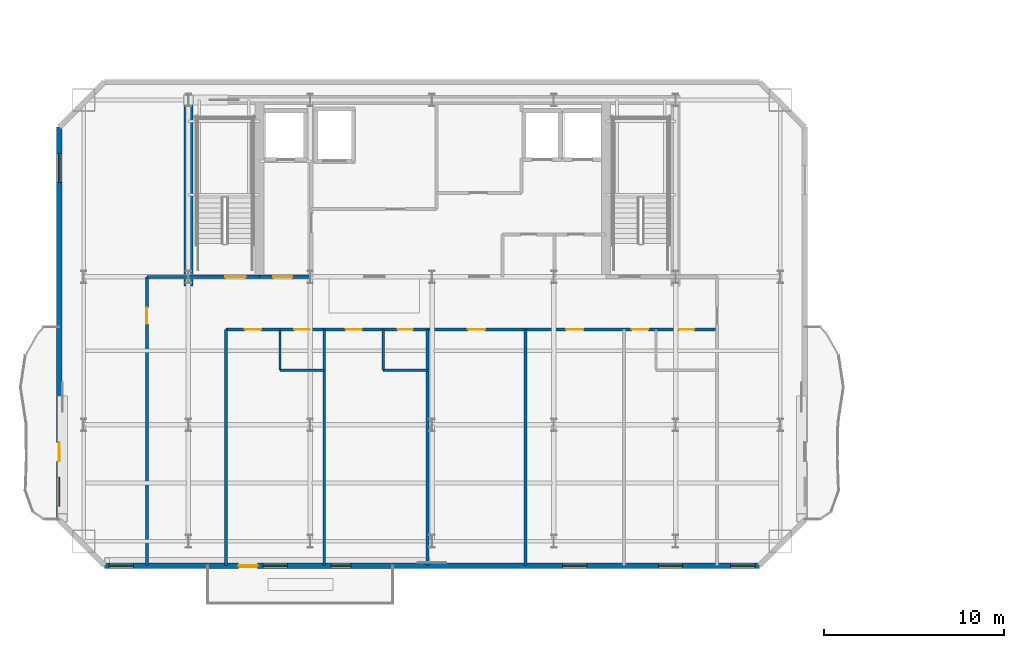
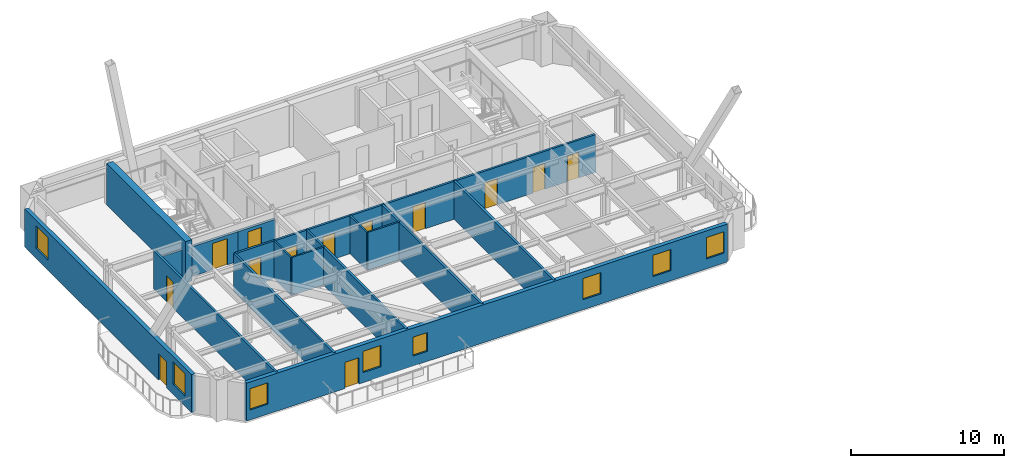
# One storey, part 5 of 13: 16 walls, 13 doors, 8 windows, 21 openings.
"""IFC4 building model written with IfcOpenShell, lengths in metres."""

from ifc_helpers import new_model, si_unit, direction, frame, frame_2d, origin, place, context, subcontext, project, spatial, rectangle, extrude, material, layer, layer_set, type_object, element, fill, save


model = new_model("IFC4")

# Units and contexts
model_context = context("Model", 3, precision=1e-05, world=origin(), true_north=direction((0.0, 1.0)))
body_context = subcontext(model_context, "Body", "Model", "MODEL_VIEW")
ifc_project = project(units=[si_unit("LENGTHUNIT", "METRE"), si_unit("AREAUNIT", "SQUARE_METRE"), si_unit("VOLUMEUNIT", "CUBIC_METRE"), si_unit("PLANEANGLEUNIT", "RADIAN"), si_unit("MASSUNIT", "GRAM", prefix="KILO")], contexts=[model_context])

# Site, building, storey
site_placement = place(None, origin())
site = spatial("IfcSite", under=ifc_project, at=site_placement, CompositionType="ELEMENT")
building_placement = place(site_placement, origin())
building = spatial("IfcBuilding", under=site, at=building_placement, Name="Haevon Station Towers", CompositionType="ELEMENT")
storey_placement = place(building_placement, frame((0.0, 0.0, 185.699951171875)))
storey = spatial("IfcBuildingStorey", under=building, at=storey_placement, Name="L51", CompositionType="ELEMENT", Elevation=185.699951171875)

# Wall
ifc_material_1 = material(Name="Gypsum board on steel stud", Category="steel")
ifc_layer_1 = layer(ifc_material_1, 0.179931640625)
ifc_layer_set_1 = layer_set([ifc_layer_1], Name="Gypsum board on steel stud")
wall_type_1 = type_object("IfcWallType", Name="WL-ACU180", PredefinedType="PARTITIONING", material=ifc_layer_set_1)
wall_1_placement = place(storey_placement, frame((42.68408203125, 22.199951171875, 0.0), z_axis=(0.0, 0.0, 1.0), x_axis=(0.0, 1.0, 0.0)))
element("IfcWall", 1, at=wall_1_placement, inside=storey, type_object=wall_type_1, Name="WL-T1PT-L51-12", PredefinedType="PARTITIONING", context=body_context, shape_type="SweptSolid", body=[
    extrude(rectangle(XDim=13.080078125, YDim=0.179931640625, at=frame_2d((6.5400390625, 0.0))), origin(), (0.0, 0.0, 1.0), 3.030029296875),
])

# Wall, opening, door
ifc_layer_2 = layer(ifc_material_1, 0.199951171875)
ifc_layer_set_2 = layer_set([ifc_layer_2], Name="Gypsum board on steel stud")
wall_type_2 = type_object("IfcWallType", Name="WL-COR200", PredefinedType="PARTITIONING", material=ifc_layer_set_2)
wall_2_placement = place(storey_placement, frame((24.0, 38.199951171875, 0.0), z_axis=(0.0, 0.0, 1.0), x_axis=(1.0, 0.0, 0.0)))
wall_2 = element("IfcWall", 2, at=wall_2_placement, inside=storey, type_object=wall_type_2, Name="WL-ST-ST1-L51", PredefinedType="PARTITIONING", context=body_context, shape_type="SweptSolid", body=[
    extrude(rectangle(XDim=3.949951171875, YDim=0.199951171875, at=frame_2d((1.97509765625, 0.0))), origin(), (0.0, 0.0, 1.0), 2.380126953125),
])
opening_1_placement = place(wall_2_placement, frame((2.050048828125, 0.0, 0.0)))
opening_1 = element("IfcOpeningElement", 3, at=opening_1_placement, cuts=wall_2, Name="Opening DR-ST-ST1-L51", PredefinedType="OPENING", context=body_context, shape_type="SweptSolid", body=[
    extrude(rectangle(XDim=1.1201171875, YDim=2.10009765625, at=frame_2d((0.56005859375, 1.050048828125))), frame((0.0, 0.10986328125, 0.0), z_axis=(0.0, -1.0, 0.0), x_axis=(1.0, 0.0, 0.0)), (0.0, 0.0, 1.0), 0.219970703125),
])
ifc_material_2 = material(Name="Engineered oak timber", Category="wood")
door_type_1 = type_object("IfcDoorType", Name="DR-ST-1120", OperationType="NOTDEFINED", PredefinedType="DOOR", material=ifc_material_2)
door_1_placement = place(opening_1_placement, origin())
door_1 = element("IfcDoor", 4, at=door_1_placement, inside=storey, type_object=door_type_1, Name="L51 Escape Stair ST1 Fire Door", OperationType="SINGLE_SWING_LEFT", OverallHeight=2.10009765625, OverallWidth=1.1201171875, PredefinedType="DOOR", context=body_context, shape_type="SweptSolid", body=[
    extrude(rectangle(XDim=1.1201171875, YDim=2.10009765625, at=frame_2d((0.56005859375, 1.050048828125))), frame((0.0, 0.02490234375, 0.0), z_axis=(0.0, -1.0, 0.0), x_axis=(1.0, 0.0, 0.0)), (0.0, 0.0, 1.0), 0.050048828125),
])
fill(opening_1, door_1)

wall_3_placement = place(storey_placement, frame((27.949951171875, 38.199951171875, 0.0), z_axis=(0.0, 0.0, 1.0), x_axis=(1.0, 0.0, 0.0)))
wall_3 = element("IfcWall", 5, at=wall_3_placement, inside=storey, type_object=wall_type_2, Name="WL-T1FFL-L51-S", PredefinedType="PARTITIONING", context=body_context, shape_type="SweptSolid", body=[
    extrude(rectangle(XDim=2.85009765625, YDim=0.199951171875, at=frame_2d((1.425048828125, 0.0))), origin(), (0.0, 0.0, 1.0), 2.380126953125),
])
opening_2_placement = place(wall_3_placement, frame((0.75, 0.0, 0.0)))
opening_2 = element("IfcOpeningElement", 6, at=opening_2_placement, cuts=wall_3, Name="Opening DR-T1FFL-L51-S", PredefinedType="OPENING", context=body_context, shape_type="SweptSolid", body=[
    extrude(rectangle(XDim=1.050048828125, YDim=2.10009765625, at=frame_2d((0.52490234375, 1.050048828125))), frame((0.0, 0.10986328125, 0.0), z_axis=(0.0, -1.0, 0.0), x_axis=(1.0, 0.0, 0.0)), (0.0, 0.0, 1.0), 0.219970703125),
])
door_type_2 = type_object("IfcDoorType", Name="DR-FD60-1050", OperationType="NOTDEFINED", PredefinedType="DOOR", material=ifc_material_2)
door_2_placement = place(opening_2_placement, origin())
door_2 = element("IfcDoor", 7, at=door_2_placement, inside=storey, type_object=door_type_2, Name="L51 Tower 1 Firefighting Lift Lobby Door S", OperationType="SINGLE_SWING_RIGHT", OverallHeight=2.10009765625, OverallWidth=1.050048828125, PredefinedType="DOOR", context=body_context, shape_type="SweptSolid", body=[
    extrude(rectangle(XDim=1.050048828125, YDim=2.10009765625, at=frame_2d((0.52490234375, 1.050048828125))), frame((0.0, 0.02490234375, 0.0), z_axis=(0.0, -1.0, 0.0), x_axis=(1.0, 0.0, 0.0)), (0.0, 0.0, 1.0), 0.050048828125),
])
fill(opening_2, door_2)

# Wall
ifc_material_3 = material(Name="Concrete C60/75", Category="concrete")
ifc_layer_3 = layer(ifc_material_3, 0.5)
ifc_layer_set_3 = layer_set([ifc_layer_3], Name="Concrete C60/75")
wall_type_3 = type_object("IfcWallType", Name="WL-CR500", PredefinedType="SHEAR", material=ifc_layer_set_3)
wall_4_placement = place(storey_placement, frame((24.0, 37.679931640625, 0.0), z_axis=(0.0, 0.0, 1.0), x_axis=(0.0, 1.0, 0.0)))
element("IfcWall", 8, at=wall_4_placement, inside=storey, type_object=wall_type_3, Name="WL-T1CR-L51-W", PredefinedType="SHEAR", context=body_context, shape_type="SweptSolid", body=[
    extrude(rectangle(XDim=10.320068359375, YDim=0.5, at=frame_2d((5.16015625, 0.0))), origin(), (0.0, 0.0, 1.0), 3.300048828125),
])

# Wall, openings, door, windows
ifc_material_4 = material(Name="Precast concrete C45/55", Category="concrete")
ifc_layer_4 = layer(ifc_material_4, 0.300048828125)
ifc_layer_set_4 = layer_set([ifc_layer_4], Name="Precast concrete C45/55")
wall_type_4 = type_object("IfcWallType", Name="WL-EXT-PIER300", PredefinedType="SOLIDWALL", material=ifc_layer_set_4)
wall_5_placement = place(storey_placement, frame((55.64990234375, 22.199951171875, 0.0), z_axis=(0.0, 0.0, 1.0), x_axis=(-1.0, 0.0, 0.0)))
wall_5 = element("IfcWall", 9, at=wall_5_placement, inside=storey, type_object=wall_type_4, Name="WL-T1-L51-S", PredefinedType="SOLIDWALL", context=body_context, shape_type="SweptSolid", body=[
    extrude(rectangle(XDim=36.2998046875, YDim=0.300048828125, at=frame_2d((18.14990234375, 0.0))), origin(), (0.0, 0.0, 1.0), 3.030029296875),
])
opening_3_placement = place(wall_5_placement, frame((27.82080078125, 0.0, 0.0)))
opening_3 = element("IfcOpeningElement", 10, at=opening_3_placement, cuts=wall_5, Name="Opening DR-T1-PBAND-L51-1", PredefinedType="OPENING", context=body_context, shape_type="SweptSolid", body=[
    extrude(rectangle(XDim=1.050048828125, YDim=2.10009765625, at=frame_2d((0.52490234375, 1.050048828125))), frame((0.0, 0.159912109375, 0.0), z_axis=(0.0, -1.0, 0.0), x_axis=(1.0, 0.0, 0.0)), (0.0, 0.0, 1.0), 0.320068359375),
])
opening_4_placement = place(wall_5_placement, frame((34.699951171875, 0.0, 0.800048828125)))
opening_4 = element("IfcOpeningElement", 11, at=opening_4_placement, cuts=wall_5, Name="Opening WN-P135", PredefinedType="OPENING", context=body_context, shape_type="SweptSolid", body=[
    extrude(rectangle(XDim=1.35009765625, YDim=1.699951171875, at=frame_2d((0.675048828125, 0.85009765625))), frame((0.0, 0.159912109375, 0.0), z_axis=(0.0, -1.0, 0.0), x_axis=(1.0, 0.0, 0.0)), (0.0, 0.0, 1.0), 0.320068359375),
])
opening_5_placement = place(wall_5_placement, frame((0.25, 0.0, 0.800048828125)))
opening_5 = element("IfcOpeningElement", 12, at=opening_5_placement, cuts=wall_5, Name="Opening WN-P135", PredefinedType="OPENING", context=body_context, shape_type="SweptSolid", body=[
    extrude(rectangle(XDim=1.35009765625, YDim=1.699951171875, at=frame_2d((0.675048828125, 0.85009765625))), frame((0.0, 0.159912109375, 0.0), z_axis=(0.0, -1.0, 0.0), x_axis=(1.0, 0.0, 0.0)), (0.0, 0.0, 1.0), 0.320068359375),
])
opening_6_placement = place(wall_5_placement, frame((26.173095703125, 0.0, 0.800048828125)))
opening_6 = element("IfcOpeningElement", 13, at=opening_6_placement, cuts=wall_5, Name="Opening WN-P135", PredefinedType="OPENING", context=body_context, shape_type="SweptSolid", body=[
    extrude(rectangle(XDim=1.35009765625, YDim=1.699951171875, at=frame_2d((0.675048828125, 0.85009765625))), frame((0.0, 0.159912109375, 0.0), z_axis=(0.0, -1.0, 0.0), x_axis=(1.0, 0.0, 0.0)), (0.0, 0.0, 1.0), 0.320068359375),
])
opening_7_placement = place(wall_5_placement, frame((22.64599609375, 0.0, 0.800048828125)))
opening_7 = element("IfcOpeningElement", 14, at=opening_7_placement, cuts=wall_5, Name="Opening WN-COR110", PredefinedType="OPENING", context=body_context, shape_type="SweptSolid", body=[
    extrude(rectangle(XDim=1.10009765625, YDim=1.5, at=frame_2d((0.550048828125, 0.75))), frame((0.0, 0.159912109375, 0.0), z_axis=(0.0, -1.0, 0.0), x_axis=(1.0, 0.0, 0.0)), (0.0, 0.0, 1.0), 0.320068359375),
])
opening_8_placement = place(wall_5_placement, frame((9.56884765625, 0.0, 0.800048828125)))
opening_8 = element("IfcOpeningElement", 15, at=opening_8_placement, cuts=wall_5, Name="Opening WN-P135", PredefinedType="OPENING", context=body_context, shape_type="SweptSolid", body=[
    extrude(rectangle(XDim=1.35009765625, YDim=1.699951171875, at=frame_2d((0.675048828125, 0.85009765625))), frame((0.0, 0.159912109375, 0.0), z_axis=(0.0, -1.0, 0.0), x_axis=(1.0, 0.0, 0.0)), (0.0, 0.0, 1.0), 0.320068359375),
])
opening_9_placement = place(wall_5_placement, frame((4.260986328125, 0.0, 0.800048828125)))
opening_9 = element("IfcOpeningElement", 16, at=opening_9_placement, cuts=wall_5, Name="Opening WN-P135", PredefinedType="OPENING", context=body_context, shape_type="SweptSolid", body=[
    extrude(rectangle(XDim=1.35009765625, YDim=1.699951171875, at=frame_2d((0.675048828125, 0.85009765625))), frame((0.0, 0.159912109375, 0.0), z_axis=(0.0, -1.0, 0.0), x_axis=(1.0, 0.0, 0.0)), (0.0, 0.0, 1.0), 0.320068359375),
])
ifc_material_5 = material(Name="Thermally broken anodised aluminium and laminated safety glass", Category="aluminium")
door_type_3 = type_object("IfcDoorType", Name="DR-BALC-1050", OperationType="NOTDEFINED", PredefinedType="DOOR", material=ifc_material_5)
door_3_placement = place(opening_3_placement, origin())
door_3 = element("IfcDoor", 17, at=door_3_placement, inside=storey, type_object=door_type_3, Name="Tower 1 L51 Balcony Terrace Door", OperationType="SINGLE_SWING_LEFT", OverallHeight=2.10009765625, OverallWidth=1.050048828125, PredefinedType="DOOR", context=body_context, shape_type="SweptSolid", body=[
    extrude(rectangle(XDim=1.050048828125, YDim=2.10009765625, at=frame_2d((0.52490234375, 1.050048828125))), frame((0.0, 0.02490234375, 0.0), z_axis=(0.0, -1.0, 0.0), x_axis=(1.0, 0.0, 0.0)), (0.0, 0.0, 1.0), 0.050048828125),
])
fill(opening_3, door_3)
ifc_material_6 = material(Name="Low-E triple glazing in thermally broken aluminium", Category="aluminium")
window_type_1 = type_object("IfcWindowType", Name="WN-COR110", PartitioningType="SINGLE_PANEL", PredefinedType="WINDOW", material=ifc_material_6)
window_1_placement = place(opening_7_placement, origin())
window_1 = element("IfcWindow", 18, at=window_1_placement, inside=storey, type_object=window_type_1, Name="WN-T1-L51-S04", OverallHeight=1.5, OverallWidth=1.10009765625, PartitioningType="SINGLE_PANEL", PredefinedType="WINDOW", context=body_context, shape_type="SweptSolid", body=[
    extrude(rectangle(XDim=1.10009765625, YDim=1.5, at=frame_2d((0.550048828125, 0.75))), frame((0.0, 0.030029296875, 0.0), z_axis=(0.0, -1.0, 0.0), x_axis=(1.0, 0.0, 0.0)), (0.0, 0.0, 1.0), 0.06005859375),
])
fill(opening_7, window_1)
window_type_2 = type_object("IfcWindowType", Name="WN-P135", PartitioningType="SINGLE_PANEL", PredefinedType="WINDOW", material=ifc_material_6)
window_2_placement = place(opening_4_placement, origin())
window_2 = element("IfcWindow", 19, at=window_2_placement, inside=storey, type_object=window_type_2, Name="WN-T1-L51-S01", OverallHeight=1.699951171875, OverallWidth=1.35009765625, PartitioningType="SINGLE_PANEL", PredefinedType="WINDOW", context=body_context, shape_type="SweptSolid", body=[
    extrude(rectangle(XDim=1.35009765625, YDim=1.699951171875, at=frame_2d((0.675048828125, 0.85009765625))), frame((0.0, 0.030029296875, 0.0), z_axis=(0.0, -1.0, 0.0), x_axis=(1.0, 0.0, 0.0)), (0.0, 0.0, 1.0), 0.06005859375),
])
fill(opening_4, window_2)
window_3_placement = place(opening_5_placement, origin())
window_3 = element("IfcWindow", 20, at=window_3_placement, inside=storey, type_object=window_type_2, Name="WN-T1-L51-S02", OverallHeight=1.699951171875, OverallWidth=1.35009765625, PartitioningType="SINGLE_PANEL", PredefinedType="WINDOW", context=body_context, shape_type="SweptSolid", body=[
    extrude(rectangle(XDim=1.35009765625, YDim=1.699951171875, at=frame_2d((0.675048828125, 0.85009765625))), frame((0.0, 0.030029296875, 0.0), z_axis=(0.0, -1.0, 0.0), x_axis=(1.0, 0.0, 0.0)), (0.0, 0.0, 1.0), 0.06005859375),
])
fill(opening_5, window_3)
window_4_placement = place(opening_6_placement, origin())
window_4 = element("IfcWindow", 21, at=window_4_placement, inside=storey, type_object=window_type_2, Name="WN-T1-L51-S03", OverallHeight=1.699951171875, OverallWidth=1.35009765625, PartitioningType="SINGLE_PANEL", PredefinedType="WINDOW", context=body_context, shape_type="SweptSolid", body=[
    extrude(rectangle(XDim=1.35009765625, YDim=1.699951171875, at=frame_2d((0.675048828125, 0.85009765625))), frame((0.0, 0.030029296875, 0.0), z_axis=(0.0, -1.0, 0.0), x_axis=(1.0, 0.0, 0.0)), (0.0, 0.0, 1.0), 0.06005859375),
])
fill(opening_6, window_4)
window_5_placement = place(opening_8_placement, origin())
window_5 = element("IfcWindow", 22, at=window_5_placement, inside=storey, type_object=window_type_2, Name="WN-T1-L51-S05", OverallHeight=1.699951171875, OverallWidth=1.35009765625, PartitioningType="SINGLE_PANEL", PredefinedType="WINDOW", context=body_context, shape_type="SweptSolid", body=[
    extrude(rectangle(XDim=1.35009765625, YDim=1.699951171875, at=frame_2d((0.675048828125, 0.85009765625))), frame((0.0, 0.030029296875, 0.0), z_axis=(0.0, -1.0, 0.0), x_axis=(1.0, 0.0, 0.0)), (0.0, 0.0, 1.0), 0.06005859375),
])
fill(opening_8, window_5)
window_6_placement = place(opening_9_placement, origin())
window_6 = element("IfcWindow", 23, at=window_6_placement, inside=storey, type_object=window_type_2, Name="WN-T1-L51-S06", OverallHeight=1.699951171875, OverallWidth=1.35009765625, PartitioningType="SINGLE_PANEL", PredefinedType="WINDOW", context=body_context, shape_type="SweptSolid", body=[
    extrude(rectangle(XDim=1.35009765625, YDim=1.699951171875, at=frame_2d((0.675048828125, 0.85009765625))), frame((0.0, 0.030029296875, 0.0), z_axis=(0.0, -1.0, 0.0), x_axis=(1.0, 0.0, 0.0)), (0.0, 0.0, 1.0), 0.06005859375),
])
fill(opening_9, window_6)

wall_6_placement = place(storey_placement, frame((16.85009765625, 24.699951171875, 0.0), z_axis=(0.0, 0.0, 1.0), x_axis=(0.0, 1.0, 0.0)))
wall_6 = element("IfcWall", 24, at=wall_6_placement, inside=storey, type_object=wall_type_4, Name="WL-T1-L51-W", PredefinedType="SOLIDWALL", context=body_context, shape_type="SweptSolid", body=[
    extrude(rectangle(XDim=21.800048828125, YDim=0.300048828125, at=frame_2d((10.89990234375, 0.0))), origin(), (0.0, 0.0, 1.0), 3.030029296875),
])
opening_10_placement = place(wall_6_placement, frame((3.27490234375, 0.0, 0.0)))
opening_10 = element("IfcOpeningElement", 25, at=opening_10_placement, cuts=wall_6, Name="Opening DR-T1-SCAL-L51-W", PredefinedType="OPENING", context=body_context, shape_type="SweptSolid", body=[
    extrude(rectangle(XDim=1.050048828125, YDim=2.10009765625, at=frame_2d((0.52490234375, 1.050048828125))), frame((0.0, 0.159912109375, 0.0), z_axis=(0.0, -1.0, 0.0), x_axis=(1.0, 0.0, 0.0)), (0.0, 0.0, 1.0), 0.320068359375),
])
opening_11_placement = place(wall_6_placement, frame((0.800048828125, 0.0, 0.800048828125)))
opening_11 = element("IfcOpeningElement", 26, at=opening_11_placement, cuts=wall_6, Name="Opening WN-END160", PredefinedType="OPENING", context=body_context, shape_type="SweptSolid", body=[
    extrude(rectangle(XDim=1.60009765625, YDim=1.800048828125, at=frame_2d((0.800048828125, 0.89990234375))), frame((0.0, 0.159912109375, 0.0), z_axis=(0.0, -1.0, 0.0), x_axis=(1.0, 0.0, 0.0)), (0.0, 0.0, 1.0), 0.320068359375),
])
opening_12_placement = place(wall_6_placement, frame((18.735595703125, 0.0, 0.800048828125)))
opening_12 = element("IfcOpeningElement", 27, at=opening_12_placement, cuts=wall_6, Name="Opening WN-END160", PredefinedType="OPENING", context=body_context, shape_type="SweptSolid", body=[
    extrude(rectangle(XDim=1.60009765625, YDim=1.800048828125, at=frame_2d((0.800048828125, 0.89990234375))), frame((0.0, 0.159912109375, 0.0), z_axis=(0.0, -1.0, 0.0), x_axis=(1.0, 0.0, 0.0)), (0.0, 0.0, 1.0), 0.320068359375),
])
door_4_placement = place(opening_10_placement, origin())
door_4 = element("IfcDoor", 28, at=door_4_placement, inside=storey, type_object=door_type_3, Name="Tower 1 L51 West Scalloped Balcony Door", OperationType="SINGLE_SWING_RIGHT", OverallHeight=2.10009765625, OverallWidth=1.050048828125, PredefinedType="DOOR", context=body_context, shape_type="SweptSolid", body=[
    extrude(rectangle(XDim=1.050048828125, YDim=2.10009765625, at=frame_2d((0.52490234375, 1.050048828125))), frame((0.0, 0.02490234375, 0.0), z_axis=(0.0, -1.0, 0.0), x_axis=(1.0, 0.0, 0.0)), (0.0, 0.0, 1.0), 0.050048828125),
])
fill(opening_10, door_4)
window_type_3 = type_object("IfcWindowType", Name="WN-END160", PartitioningType="SINGLE_PANEL", PredefinedType="WINDOW", material=ifc_material_6)
window_7_placement = place(opening_11_placement, origin())
window_7 = element("IfcWindow", 29, at=window_7_placement, inside=storey, type_object=window_type_3, Name="WN-T1-L51-W01", OverallHeight=1.800048828125, OverallWidth=1.60009765625, PartitioningType="SINGLE_PANEL", PredefinedType="WINDOW", context=body_context, shape_type="SweptSolid", body=[
    extrude(rectangle(XDim=1.60009765625, YDim=1.800048828125, at=frame_2d((0.800048828125, 0.89990234375))), frame((0.0, 0.030029296875, 0.0), z_axis=(0.0, -1.0, 0.0), x_axis=(1.0, 0.0, 0.0)), (0.0, 0.0, 1.0), 0.06005859375),
])
fill(opening_11, window_7)
window_8_placement = place(opening_12_placement, origin())
window_8 = element("IfcWindow", 30, at=window_8_placement, inside=storey, type_object=window_type_3, Name="WN-T1-L51-W02", OverallHeight=1.800048828125, OverallWidth=1.60009765625, PartitioningType="SINGLE_PANEL", PredefinedType="WINDOW", context=body_context, shape_type="SweptSolid", body=[
    extrude(rectangle(XDim=1.60009765625, YDim=1.800048828125, at=frame_2d((0.800048828125, 0.89990234375))), frame((0.0, 0.030029296875, 0.0), z_axis=(0.0, -1.0, 0.0), x_axis=(1.0, 0.0, 0.0)), (0.0, 0.0, 1.0), 0.06005859375),
])
fill(opening_12, window_8)

# Walls
ifc_layer_5 = layer(ifc_material_1, 0.125)
ifc_layer_set_5 = layer_set([ifc_layer_5], Name="Gypsum board on steel stud")
wall_type_5 = type_object("IfcWallType", Name="WL-PRT125", PredefinedType="PARTITIONING", material=ifc_layer_set_5)
wall_7_placement = place(storey_placement, frame((29.073974609375, 33.030029296875, 0.0), z_axis=(0.0, 0.0, 1.0), x_axis=(1.0, 0.0, 0.0)))
element("IfcWall", 31, at=wall_7_placement, inside=storey, type_object=wall_type_5, Name="WL-T1PT-L51-06", PredefinedType="PARTITIONING", context=body_context, shape_type="SweptSolid", body=[
    extrude(rectangle(XDim=2.449951171875, YDim=0.125, at=frame_2d((1.22509765625, 0.0))), origin(), (0.0, 0.0, 1.0), 3.030029296875),
])
wall_8_placement = place(storey_placement, frame((29.073974609375, 33.030029296875, 0.0), z_axis=(0.0, 0.0, 1.0), x_axis=(0.0, 1.0, 0.0)))
element("IfcWall", 32, at=wall_8_placement, inside=storey, type_object=wall_type_5, Name="WL-T1PT-L51-07", PredefinedType="PARTITIONING", context=body_context, shape_type="SweptSolid", body=[
    extrude(rectangle(XDim=2.25, YDim=0.125, at=frame_2d((1.125, 0.0))), origin(), (0.0, 0.0, 1.0), 3.030029296875),
])
wall_9_placement = place(storey_placement, frame((34.790283203125, 33.030029296875, 0.0), z_axis=(0.0, 0.0, 1.0), x_axis=(1.0, 0.0, 0.0)))
element("IfcWall", 33, at=wall_9_placement, inside=storey, type_object=wall_type_5, Name="WL-T1PT-L51-09", PredefinedType="PARTITIONING", context=body_context, shape_type="SweptSolid", body=[
    extrude(rectangle(XDim=2.449951171875, YDim=0.125, at=frame_2d((1.22509765625, 0.0))), origin(), (0.0, 0.0, 1.0), 3.030029296875),
])
wall_10_placement = place(storey_placement, frame((34.790283203125, 33.030029296875, 0.0), z_axis=(0.0, 0.0, 1.0), x_axis=(0.0, 1.0, 0.0)))
element("IfcWall", 34, at=wall_10_placement, inside=storey, type_object=wall_type_5, Name="WL-T1PT-L51-10", PredefinedType="PARTITIONING", context=body_context, shape_type="SweptSolid", body=[
    extrude(rectangle(XDim=2.25, YDim=0.125, at=frame_2d((1.125, 0.0))), origin(), (0.0, 0.0, 1.0), 3.030029296875),
])
ifc_layer_6 = layer(ifc_material_1, 0.159912109375)
ifc_layer_set_6 = layer_set([ifc_layer_6], Name="Gypsum board on steel stud")
wall_type_6 = type_object("IfcWallType", Name="WL-PRT160", PredefinedType="PARTITIONING", material=ifc_layer_set_6)
wall_11_placement = place(storey_placement, frame((26.080078125, 22.199951171875, 0.0), z_axis=(0.0, 0.0, 1.0), x_axis=(0.0, 1.0, 0.0)))
element("IfcWall", 35, at=wall_11_placement, inside=storey, type_object=wall_type_6, Name="WL-T1PT-L51-01", PredefinedType="PARTITIONING", context=body_context, shape_type="SweptSolid", body=[
    extrude(rectangle(XDim=13.080078125, YDim=0.159912109375, at=frame_2d((6.5400390625, 0.0))), origin(), (0.0, 0.0, 1.0), 3.030029296875),
])
wall_12_placement = place(storey_placement, frame((21.699951171875, 38.199951171875, 0.0), z_axis=(0.0, 0.0, 1.0), x_axis=(1.0, 0.0, 0.0)))
element("IfcWall", 36, at=wall_12_placement, inside=storey, type_object=wall_type_6, Name="WL-T1PT-L51-02", PredefinedType="PARTITIONING", context=body_context, shape_type="SweptSolid", body=[
    extrude(rectangle(XDim=2.300048828125, YDim=0.159912109375, at=frame_2d((1.14990234375, 0.0))), origin(), (0.0, 0.0, 1.0), 2.380126953125),
])

# Wall, opening, door
wall_13_placement = place(storey_placement, frame((21.699951171875, 22.199951171875, 0.0), z_axis=(0.0, 0.0, 1.0), x_axis=(0.0, 1.0, 0.0)))
wall_13 = element("IfcWall", 37, at=wall_13_placement, inside=storey, type_object=wall_type_6, Name="WL-T1PT-L51-04", PredefinedType="PARTITIONING", context=body_context, shape_type="SweptSolid", body=[
    extrude(rectangle(XDim=16.0, YDim=0.159912109375, at=frame_2d((8.0, 0.0))), origin(), (0.0, 0.0, 1.0), 3.030029296875),
])
opening_13_placement = place(wall_13_placement, frame((13.39990234375, 0.0, 0.0)))
opening_13 = element("IfcOpeningElement", 38, at=opening_13_placement, cuts=wall_13, Name="Opening DR-WL-T1PT-L51-04-01", PredefinedType="OPENING", context=body_context, shape_type="SweptSolid", body=[
    extrude(rectangle(XDim=0.89990234375, YDim=2.050048828125, at=frame_2d((0.449951171875, 1.02490234375))), frame((0.0, 0.08984375, 0.0), z_axis=(0.0, -1.0, 0.0), x_axis=(1.0, 0.0, 0.0)), (0.0, 0.0, 1.0), 0.179931640625),
])
door_type_4 = type_object("IfcDoorType", Name="DR-INT-900", OperationType="NOTDEFINED", PredefinedType="DOOR", material=ifc_material_2)
door_5_placement = place(opening_13_placement, origin())
door_5 = element("IfcDoor", 39, at=door_5_placement, inside=storey, type_object=door_type_4, Name="L51 Tower 1 Room Door 4-1", OperationType="SINGLE_SWING_RIGHT", OverallHeight=2.050048828125, OverallWidth=0.89990234375, PredefinedType="DOOR", context=body_context, shape_type="SweptSolid", body=[
    extrude(rectangle(XDim=0.89990234375, YDim=2.050048828125, at=frame_2d((0.449951171875, 1.02490234375))), frame((0.0, 0.02490234375, 0.0), z_axis=(0.0, -1.0, 0.0), x_axis=(1.0, 0.0, 0.0)), (0.0, 0.0, 1.0), 0.050048828125),
])
fill(opening_13, door_5)

# Walls
for number, where, z_axis, x_axis, name in (
    (40, (31.52392578125, 22.199951171875, 0.0), (0.0, 0.0, 1.0), (0.0, 1.0, 0.0), "WL-T1PT-L51-08"),
    (41, (37.240234375, 22.199951171875, 0.0), (0.0, 0.0, 1.0), (0.0, 1.0, 0.0), "WL-T1PT-L51-11"),
):
    element("IfcWall", number, at=place(storey_placement, frame(where, z_axis=z_axis, x_axis=x_axis)), inside=storey, type_object=wall_type_6, Name=name, PredefinedType="PARTITIONING", context=body_context, shape_type="SweptSolid", body=[
        extrude(rectangle(XDim=13.080078125, YDim=0.159912109375, at=frame_2d((6.5400390625, 0.0))), origin(), (0.0, 0.0, 1.0), 3.030029296875),
    ])

# Wall, openings, doors
wall_14_placement = place(storey_placement, frame((26.080078125, 35.280029296875, 0.0), z_axis=(0.0, 0.0, 1.0), x_axis=(1.0, 0.0, 0.0)))
wall_14 = element("IfcWall", 42, at=wall_14_placement, inside=storey, type_object=wall_type_6, Name="WL-T1PT-L51-16", PredefinedType="PARTITIONING", context=body_context, shape_type="SweptSolid", body=[
    extrude(rectangle(XDim=27.219970703125, YDim=0.159912109375, at=frame_2d((13.60986328125, 0.0))), origin(), (0.0, 0.0, 1.0), 3.030029296875),
])
opening_14_placement = place(wall_14_placement, frame((3.7939453125, 0.0, 0.0)))
opening_14 = element("IfcOpeningElement", 43, at=opening_14_placement, cuts=wall_14, Name="Opening DR-WL-T1PT-L51-16-01", PredefinedType="OPENING", context=body_context, shape_type="SweptSolid", body=[
    extrude(rectangle(XDim=0.85009765625, YDim=2.050048828125, at=frame_2d((0.425048828125, 1.02490234375))), frame((0.0, 0.08984375, 0.0), z_axis=(0.0, -1.0, 0.0), x_axis=(1.0, 0.0, 0.0)), (0.0, 0.0, 1.0), 0.179931640625),
])
opening_15_placement = place(wall_14_placement, frame((1.047119140625, 0.0, 0.0)))
opening_15 = element("IfcOpeningElement", 44, at=opening_15_placement, cuts=wall_14, Name="Opening DR-WL-T1PT-L51-16-02", PredefinedType="OPENING", context=body_context, shape_type="SweptSolid", body=[
    extrude(rectangle(XDim=0.89990234375, YDim=2.050048828125, at=frame_2d((0.449951171875, 1.02490234375))), frame((0.0, 0.08984375, 0.0), z_axis=(0.0, -1.0, 0.0), x_axis=(1.0, 0.0, 0.0)), (0.0, 0.0, 1.0), 0.179931640625),
])
opening_16_placement = place(wall_14_placement, frame((9.510009765625, 0.0, 0.0)))
opening_16 = element("IfcOpeningElement", 45, at=opening_16_placement, cuts=wall_14, Name="Opening DR-WL-T1PT-L51-16-03", PredefinedType="OPENING", context=body_context, shape_type="SweptSolid", body=[
    extrude(rectangle(XDim=0.85009765625, YDim=2.050048828125, at=frame_2d((0.425048828125, 1.02490234375))), frame((0.0, 0.08984375, 0.0), z_axis=(0.0, -1.0, 0.0), x_axis=(1.0, 0.0, 0.0)), (0.0, 0.0, 1.0), 0.179931640625),
])
opening_17_placement = place(wall_14_placement, frame((6.626953125, 0.0, 0.0)))
opening_17 = element("IfcOpeningElement", 46, at=opening_17_placement, cuts=wall_14, Name="Opening DR-WL-T1PT-L51-16-04", PredefinedType="OPENING", context=body_context, shape_type="SweptSolid", body=[
    extrude(rectangle(XDim=0.89990234375, YDim=2.050048828125, at=frame_2d((0.449951171875, 1.02490234375))), frame((0.0, 0.08984375, 0.0), z_axis=(0.0, -1.0, 0.0), x_axis=(1.0, 0.0, 0.0)), (0.0, 0.0, 1.0), 0.179931640625),
])
opening_18_placement = place(wall_14_placement, frame((13.406982421875, 0.0, 0.0)))
opening_18 = element("IfcOpeningElement", 47, at=opening_18_placement, cuts=wall_14, Name="Opening DR-WL-T1PT-L51-16-05", PredefinedType="OPENING", context=body_context, shape_type="SweptSolid", body=[
    extrude(rectangle(XDim=0.949951171875, YDim=2.10009765625, at=frame_2d((0.47509765625, 1.050048828125))), frame((0.0, 0.08984375, 0.0), z_axis=(0.0, -1.0, 0.0), x_axis=(1.0, 0.0, 0.0)), (0.0, 0.0, 1.0), 0.179931640625),
])
opening_19_placement = place(wall_14_placement, frame((18.85107421875, 0.0, 0.0)))
opening_19 = element("IfcOpeningElement", 48, at=opening_19_placement, cuts=wall_14, Name="Opening DR-WL-T1PT-L51-16-06", PredefinedType="OPENING", context=body_context, shape_type="SweptSolid", body=[
    extrude(rectangle(XDim=0.949951171875, YDim=2.10009765625, at=frame_2d((0.47509765625, 1.050048828125))), frame((0.0, 0.08984375, 0.0), z_axis=(0.0, -1.0, 0.0), x_axis=(1.0, 0.0, 0.0)), (0.0, 0.0, 1.0), 0.179931640625),
])
opening_20_placement = place(wall_14_placement, frame((25.09912109375, 0.0, 0.0)))
opening_20 = element("IfcOpeningElement", 49, at=opening_20_placement, cuts=wall_14, Name="Opening DR-WL-T1PT-L51-16-07", PredefinedType="OPENING", context=body_context, shape_type="SweptSolid", body=[
    extrude(rectangle(XDim=0.85009765625, YDim=2.050048828125, at=frame_2d((0.425048828125, 1.02490234375))), frame((0.0, 0.08984375, 0.0), z_axis=(0.0, -1.0, 0.0), x_axis=(1.0, 0.0, 0.0)), (0.0, 0.0, 1.0), 0.179931640625),
])
opening_21_placement = place(wall_14_placement, frame((22.488037109375, 0.0, 0.0)))
opening_21 = element("IfcOpeningElement", 50, at=opening_21_placement, cuts=wall_14, Name="Opening DR-WL-T1PT-L51-16-08", PredefinedType="OPENING", context=body_context, shape_type="SweptSolid", body=[
    extrude(rectangle(XDim=0.89990234375, YDim=2.050048828125, at=frame_2d((0.449951171875, 1.02490234375))), frame((0.0, 0.08984375, 0.0), z_axis=(0.0, -1.0, 0.0), x_axis=(1.0, 0.0, 0.0)), (0.0, 0.0, 1.0), 0.179931640625),
])
door_type_5 = type_object("IfcDoorType", Name="DR-FD30-850", OperationType="NOTDEFINED", PredefinedType="DOOR", material=ifc_material_2)
door_6_placement = place(opening_14_placement, origin())
door_6 = element("IfcDoor", 51, at=door_6_placement, inside=storey, type_object=door_type_5, Name="L51 Tower 1 Room Door 16-1", OperationType="SINGLE_SWING_RIGHT", OverallHeight=2.050048828125, OverallWidth=0.85009765625, PredefinedType="DOOR", context=body_context, shape_type="SweptSolid", body=[
    extrude(rectangle(XDim=0.85009765625, YDim=2.050048828125, at=frame_2d((0.425048828125, 1.02490234375))), frame((0.0, 0.02490234375, 0.0), z_axis=(0.0, -1.0, 0.0), x_axis=(1.0, 0.0, 0.0)), (0.0, 0.0, 1.0), 0.050048828125),
])
fill(opening_14, door_6)
door_7_placement = place(opening_16_placement, origin())
door_7 = element("IfcDoor", 52, at=door_7_placement, inside=storey, type_object=door_type_5, Name="L51 Tower 1 Room Door 16-3", OperationType="SINGLE_SWING_RIGHT", OverallHeight=2.050048828125, OverallWidth=0.85009765625, PredefinedType="DOOR", context=body_context, shape_type="SweptSolid", body=[
    extrude(rectangle(XDim=0.85009765625, YDim=2.050048828125, at=frame_2d((0.425048828125, 1.02490234375))), frame((0.0, 0.02490234375, 0.0), z_axis=(0.0, -1.0, 0.0), x_axis=(1.0, 0.0, 0.0)), (0.0, 0.0, 1.0), 0.050048828125),
])
fill(opening_16, door_7)
door_8_placement = place(opening_20_placement, origin())
door_8 = element("IfcDoor", 53, at=door_8_placement, inside=storey, type_object=door_type_5, Name="L51 Tower 1 Room Door 16-7", OperationType="SINGLE_SWING_RIGHT", OverallHeight=2.050048828125, OverallWidth=0.85009765625, PredefinedType="DOOR", context=body_context, shape_type="SweptSolid", body=[
    extrude(rectangle(XDim=0.85009765625, YDim=2.050048828125, at=frame_2d((0.425048828125, 1.02490234375))), frame((0.0, 0.02490234375, 0.0), z_axis=(0.0, -1.0, 0.0), x_axis=(1.0, 0.0, 0.0)), (0.0, 0.0, 1.0), 0.050048828125),
])
fill(opening_20, door_8)
door_type_6 = type_object("IfcDoorType", Name="DR-FD30-950", OperationType="NOTDEFINED", PredefinedType="DOOR", material=ifc_material_2)
door_9_placement = place(opening_18_placement, origin())
door_9 = element("IfcDoor", 54, at=door_9_placement, inside=storey, type_object=door_type_6, Name="L51 Tower 1 Room Door 16-5", OperationType="SINGLE_SWING_RIGHT", OverallHeight=2.10009765625, OverallWidth=0.949951171875, PredefinedType="DOOR", context=body_context, shape_type="SweptSolid", body=[
    extrude(rectangle(XDim=0.949951171875, YDim=2.10009765625, at=frame_2d((0.47509765625, 1.050048828125))), frame((0.0, 0.02490234375, 0.0), z_axis=(0.0, -1.0, 0.0), x_axis=(1.0, 0.0, 0.0)), (0.0, 0.0, 1.0), 0.050048828125),
])
fill(opening_18, door_9)
door_10_placement = place(opening_19_placement, origin())
door_10 = element("IfcDoor", 55, at=door_10_placement, inside=storey, type_object=door_type_6, Name="L51 Tower 1 Room Door 16-6", OperationType="SINGLE_SWING_LEFT", OverallHeight=2.10009765625, OverallWidth=0.949951171875, PredefinedType="DOOR", context=body_context, shape_type="SweptSolid", body=[
    extrude(rectangle(XDim=0.949951171875, YDim=2.10009765625, at=frame_2d((0.47509765625, 1.050048828125))), frame((0.0, 0.02490234375, 0.0), z_axis=(0.0, -1.0, 0.0), x_axis=(1.0, 0.0, 0.0)), (0.0, 0.0, 1.0), 0.050048828125),
])
fill(opening_19, door_10)
door_11_placement = place(opening_15_placement, origin())
door_11 = element("IfcDoor", 56, at=door_11_placement, inside=storey, type_object=door_type_4, Name="L51 Tower 1 Room Door 16-2", OperationType="SINGLE_SWING_LEFT", OverallHeight=2.050048828125, OverallWidth=0.89990234375, PredefinedType="DOOR", context=body_context, shape_type="SweptSolid", body=[
    extrude(rectangle(XDim=0.89990234375, YDim=2.050048828125, at=frame_2d((0.449951171875, 1.02490234375))), frame((0.0, 0.02490234375, 0.0), z_axis=(0.0, -1.0, 0.0), x_axis=(1.0, 0.0, 0.0)), (0.0, 0.0, 1.0), 0.050048828125),
])
fill(opening_15, door_11)
door_12_placement = place(opening_17_placement, origin())
door_12 = element("IfcDoor", 57, at=door_12_placement, inside=storey, type_object=door_type_4, Name="L51 Tower 1 Room Door 16-4", OperationType="SINGLE_SWING_LEFT", OverallHeight=2.050048828125, OverallWidth=0.89990234375, PredefinedType="DOOR", context=body_context, shape_type="SweptSolid", body=[
    extrude(rectangle(XDim=0.89990234375, YDim=2.050048828125, at=frame_2d((0.449951171875, 1.02490234375))), frame((0.0, 0.02490234375, 0.0), z_axis=(0.0, -1.0, 0.0), x_axis=(1.0, 0.0, 0.0)), (0.0, 0.0, 1.0), 0.050048828125),
])
fill(opening_17, door_12)
door_13_placement = place(opening_21_placement, origin())
door_13 = element("IfcDoor", 58, at=door_13_placement, inside=storey, type_object=door_type_4, Name="L51 Tower 1 Room Door 16-8", OperationType="SINGLE_SWING_LEFT", OverallHeight=2.050048828125, OverallWidth=0.89990234375, PredefinedType="DOOR", context=body_context, shape_type="SweptSolid", body=[
    extrude(rectangle(XDim=0.89990234375, YDim=2.050048828125, at=frame_2d((0.449951171875, 1.02490234375))), frame((0.0, 0.02490234375, 0.0), z_axis=(0.0, -1.0, 0.0), x_axis=(1.0, 0.0, 0.0)), (0.0, 0.0, 1.0), 0.050048828125),
])
fill(opening_21, door_13)

save(model, "model.ifc")
